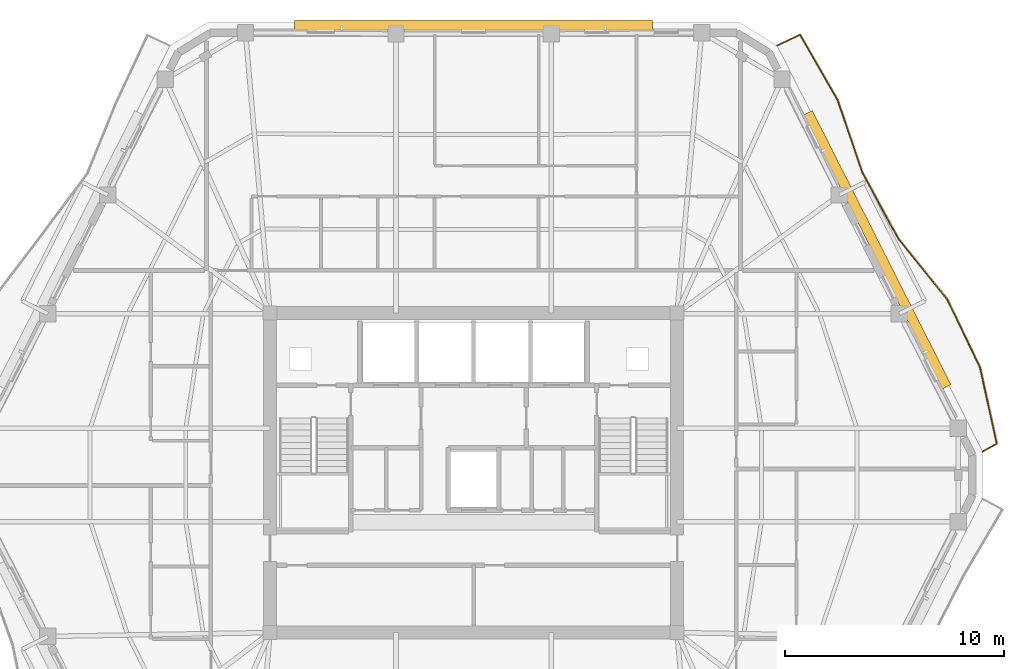
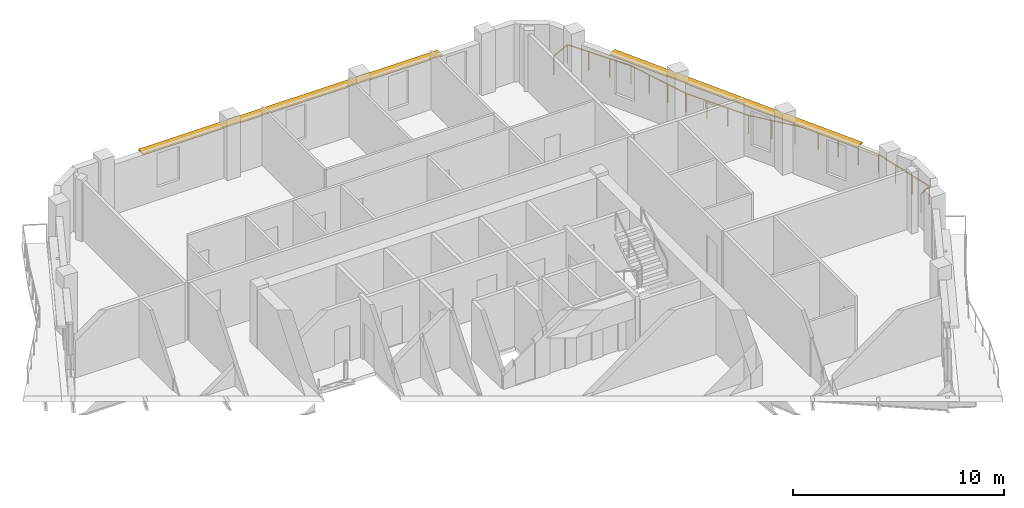
# One storey, part 11 of 11: 2 shading devices, 1 railing.
"""IFC4 building model written with IfcOpenShell, lengths in metres."""

from ifc_helpers import new_model, si_unit, direction, frame, origin, origin_2d, place, context, subcontext, project, spatial, rectangle, extrude, material, layer, layer_set, type_object, element, save


model = new_model("IFC4")

# Units and contexts
model_context = context("Model", 3, precision=1e-05, world=origin(), true_north=direction((0.0, 1.0)))
body_context = subcontext(model_context, "Body", "Model", "MODEL_VIEW")
ifc_project = project(units=[si_unit("LENGTHUNIT", "METRE"), si_unit("AREAUNIT", "SQUARE_METRE"), si_unit("VOLUMEUNIT", "CUBIC_METRE"), si_unit("PLANEANGLEUNIT", "RADIAN"), si_unit("MASSUNIT", "GRAM", prefix="KILO")], contexts=[model_context])

# Site, building, storey
site_placement = place(None, origin())
site = spatial("IfcSite", under=ifc_project, at=site_placement, CompositionType="ELEMENT")
building_placement = place(site_placement, origin())
building = spatial("IfcBuilding", under=site, at=building_placement, Name="Cinnabar Lancet Tower", CompositionType="ELEMENT")
storey_placement = place(building_placement, frame((0.0, 0.0, 214.5)))
storey = spatial("IfcBuildingStorey", under=building, at=storey_placement, Name="L57", CompositionType="ELEMENT", Elevation=214.5)

# Railing
ifc_material_1 = material(Name="Laminated safety glass and bronze stainless steel balustrade", Category="steel")
railing_type = type_object("IfcRailingType", Name="ENV-RLG-BAL-1100", PredefinedType="BALUSTRADE", material=ifc_material_1)
railing_placement = place(storey_placement, frame((55.657958984375, 26.87109375, 0.0)))
element("IfcRailing", 1, at=railing_placement, inside=storey, type_object=railing_type, Name="L57 Face 3 Wave Balcony Balustrade", PredefinedType="BALUSTRADE", context=body_context, shape_type="SweptSolid", body=[
    extrude(rectangle(XDim=0.048095703125, YDim=0.048095703125, at=origin_2d()), frame((0.0, 0.0, 1.076171875), z_axis=(0.874915580561, 0.48427546592, 0.0), x_axis=(-0.48427546592, 0.874915580561, 0.0)), (0.0, 0.0, 1.0), 0.7431640625),
    extrude(rectangle(XDim=0.048095703125, YDim=0.048095703125, at=origin_2d()), frame((0.650146484375, 0.35986328125, 1.076171875), z_axis=(-0.214698628832, 0.976680346264, 0.0), x_axis=(-0.976680346264, -0.214698628832, 0.0)), (0.0, 0.0, 1.0), 3.568359375),
    extrude(rectangle(XDim=0.048095703125, YDim=0.048095703125, at=origin_2d()), frame((-0.115966796875, 3.844970703125, 1.076171875), z_axis=(-0.4337498159, 0.901033349664, 0.0), x_axis=(-0.901033349664, -0.4337498159, 0.0)), (0.0, 0.0, 1.0), 3.458251953125),
    extrude(rectangle(XDim=0.048095703125, YDim=0.048095703125, at=origin_2d()), frame((-1.615966796875, 6.9609375, 1.076171875), z_axis=(-0.628739037483, 0.777616372477, 0.0), x_axis=(-0.777616372477, -0.628739037483, 0.0)), (0.0, 0.0, 1.0), 3.533935546875),
    extrude(rectangle(XDim=0.048095703125, YDim=0.048095703125, at=origin_2d()), frame((-3.837890625, 9.708984375, 1.076171875), z_axis=(-0.478213664312, 0.878243526173, 0.0), x_axis=(-0.878243526173, -0.478213664312, 0.0)), (0.0, 0.0, 1.0), 3.456787109375),
    extrude(rectangle(XDim=0.048095703125, YDim=0.048095703125, at=origin_2d()), frame((-5.490966796875, 12.744873046875, 1.076171875), z_axis=(-0.321885185685, 0.946778710806, 0.0), x_axis=(-0.946778710806, -0.321885185685, 0.0)), (0.0, 0.0, 1.0), 3.491943359375),
    extrude(rectangle(XDim=0.048095703125, YDim=0.048095703125, at=origin_2d()), frame((-6.614990234375, 16.051025390625, 1.076171875), z_axis=(-0.499339891281, 0.866406182443, 0.0), x_axis=(-0.866406182443, -0.499339891281, 0.0)), (0.0, 0.0, 1.0), 3.462646484375),
    extrude(rectangle(XDim=0.048095703125, YDim=0.048095703125, at=origin_2d()), frame((-8.343994140625, 19.051025390625, 1.076171875), z_axis=(-0.904185133292, -0.42714077859, 0.0), x_axis=(0.42714077859, -0.904185133292, 0.0)), (0.0, 0.0, 1.0), 1.154541015625),
    extrude(rectangle(XDim=0.0419921875, YDim=0.0419921875, at=origin_2d()), origin(), (0.0, 0.0, 1.0), 1.052001953125),
    extrude(rectangle(XDim=0.0419921875, YDim=0.0419921875, at=origin_2d()), frame((0.650146484375, 0.35986328125, 0.0)), (0.0, 0.0, 1.0), 1.052001953125),
    extrude(rectangle(XDim=0.0419921875, YDim=0.0419921875, at=origin_2d()), frame((0.394775390625, 1.521484375, 0.0)), (0.0, 0.0, 1.0), 1.052001953125),
    extrude(rectangle(XDim=0.0419921875, YDim=0.0419921875, at=origin_2d()), frame((0.139404296875, 2.683349609375, 0.0)), (0.0, 0.0, 1.0), 1.052001953125),
    extrude(rectangle(XDim=0.0419921875, YDim=0.0419921875, at=origin_2d()), frame((-0.115966796875, 3.844970703125, 0.0)), (0.0, 0.0, 1.0), 1.052001953125),
    extrude(rectangle(XDim=0.0419921875, YDim=0.0419921875, at=origin_2d()), frame((-0.615966796875, 4.883544921875, 0.0)), (0.0, 0.0, 1.0), 1.052001953125),
    extrude(rectangle(XDim=0.0419921875, YDim=0.0419921875, at=origin_2d()), frame((-1.115966796875, 5.92236328125, 0.0)), (0.0, 0.0, 1.0), 1.052001953125),
    extrude(rectangle(XDim=0.0419921875, YDim=0.0419921875, at=origin_2d()), frame((-1.615966796875, 6.9609375, 0.0)), (0.0, 0.0, 1.0), 1.052001953125),
    extrude(rectangle(XDim=0.0419921875, YDim=0.0419921875, at=origin_2d()), frame((-2.356689453125, 7.876953125, 0.0)), (0.0, 0.0, 1.0), 1.052001953125),
    extrude(rectangle(XDim=0.0419921875, YDim=0.0419921875, at=origin_2d()), frame((-3.09716796875, 8.79296875, 0.0)), (0.0, 0.0, 1.0), 1.052001953125),
    extrude(rectangle(XDim=0.0419921875, YDim=0.0419921875, at=origin_2d()), frame((-3.837890625, 9.708984375, 0.0)), (0.0, 0.0, 1.0), 1.052001953125),
    extrude(rectangle(XDim=0.0419921875, YDim=0.0419921875, at=origin_2d()), frame((-4.388916015625, 10.720947265625, 0.0)), (0.0, 0.0, 1.0), 1.052001953125),
    extrude(rectangle(XDim=0.0419921875, YDim=0.0419921875, at=origin_2d()), frame((-4.93994140625, 11.73291015625, 0.0)), (0.0, 0.0, 1.0), 1.052001953125),
    extrude(rectangle(XDim=0.0419921875, YDim=0.0419921875, at=origin_2d()), frame((-5.490966796875, 12.744873046875, 0.0)), (0.0, 0.0, 1.0), 1.052001953125),
    extrude(rectangle(XDim=0.0419921875, YDim=0.0419921875, at=origin_2d()), frame((-5.86572265625, 13.846923828125, 0.0)), (0.0, 0.0, 1.0), 1.052001953125),
    extrude(rectangle(XDim=0.0419921875, YDim=0.0419921875, at=origin_2d()), frame((-6.240234375, 14.948974609375, 0.0)), (0.0, 0.0, 1.0), 1.052001953125),
    extrude(rectangle(XDim=0.0419921875, YDim=0.0419921875, at=origin_2d()), frame((-6.614990234375, 16.051025390625, 0.0)), (0.0, 0.0, 1.0), 1.052001953125),
    extrude(rectangle(XDim=0.0419921875, YDim=0.0419921875, at=origin_2d()), frame((-7.19140625, 17.051025390625, 0.0)), (0.0, 0.0, 1.0), 1.052001953125),
    extrude(rectangle(XDim=0.0419921875, YDim=0.0419921875, at=origin_2d()), frame((-7.767578125, 18.051025390625, 0.0)), (0.0, 0.0, 1.0), 1.052001953125),
    extrude(rectangle(XDim=0.0419921875, YDim=0.0419921875, at=origin_2d()), frame((-8.343994140625, 19.051025390625, 0.0)), (0.0, 0.0, 1.0), 1.052001953125),
    extrude(rectangle(XDim=0.0419921875, YDim=0.0419921875, at=origin_2d()), frame((-9.387939453125, 18.557861328125, 0.0)), (0.0, 0.0, 1.0), 1.052001953125),
])

# Shading devices
ifc_material_2 = material(Name="Pale limestone architectural aluminium sunshade", Category="masonry")
ifc_layer = layer(ifc_material_2, 0.080078125)
ifc_layer_set = layer_set([ifc_layer], Name="Pale limestone architectural aluminium sunshade")
shading_device_type = type_object("IfcShadingDeviceType", Name="ENV-SHD-LVR-450", PredefinedType="JALOUSIE", material=ifc_layer_set)
shading_device_1_placement = place(storey_placement, frame((50.845947265625, 36.093994140625, 2.639892578125), z_axis=(0.0, 0.0, 1.0), x_axis=(-0.45140713236, 0.892318105193, 0.0)))
element("IfcShadingDevice", 2, at=shading_device_1_placement, inside=storey, type_object=shading_device_type, Name="L57 Face 3 Horizontal Sunshade Canopy", PredefinedType="JALOUSIE", context=body_context, shape_type="SweptSolid", body=[
    extrude(rectangle(XDim=14.034912109375, YDim=0.449951171875, at=origin_2d()), origin(), (0.0, 0.0, 1.0), 0.080078125),
])
shading_device_2_placement = place(storey_placement, frame((32.39990234375, 46.3701171875, 2.639892578125), z_axis=(0.0, 0.0, 1.0), x_axis=(-1.0, 0.0, 0.0)))
element("IfcShadingDevice", 3, at=shading_device_2_placement, inside=storey, type_object=shading_device_type, Name="L57 Face 4 Horizontal Sunshade Canopy", PredefinedType="JALOUSIE", context=body_context, shape_type="SweptSolid", body=[
    extrude(rectangle(XDim=16.3720703125, YDim=0.449951171875, at=origin_2d()), origin(), (0.0, 0.0, 1.0), 0.080078125),
])

save(model, "model.ifc")
